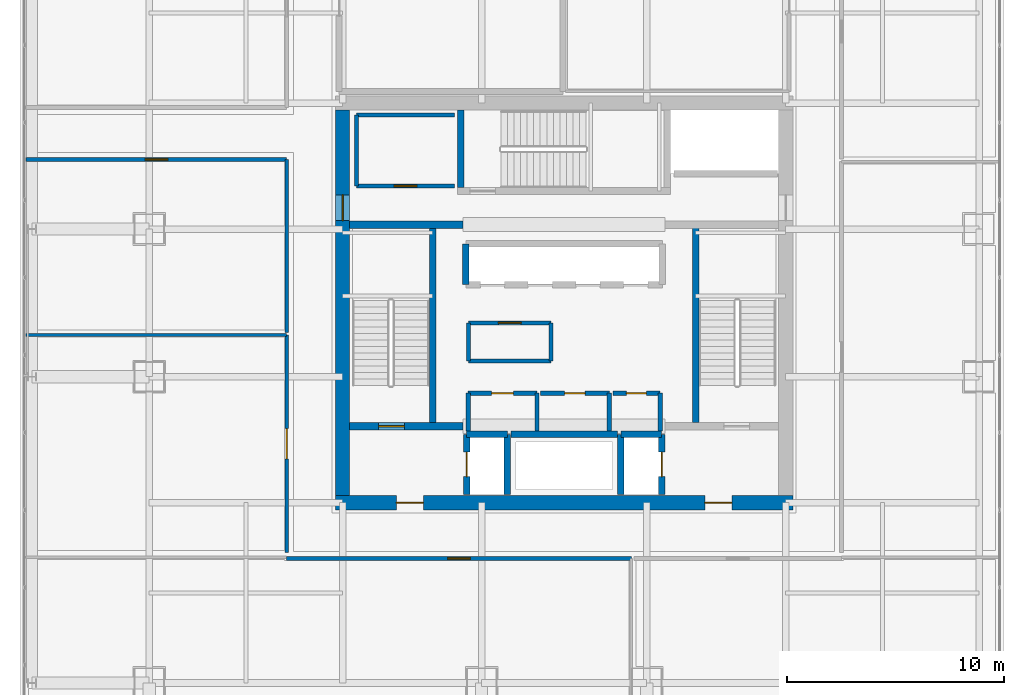
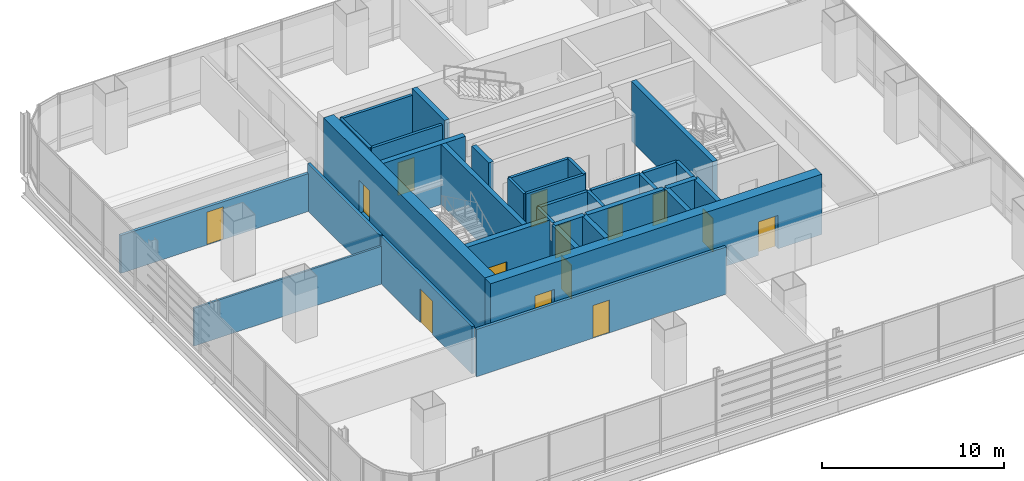
# One storey, part 29 of 36: 34 walls, 14 doors, 14 openings.
"""IFC4 building model written with IfcOpenShell, lengths in metres."""

from ifc_helpers import new_model, si_unit, direction, frame, frame_2d, origin, place, context, subcontext, project, spatial, rectangle, extrude, material, layer, layer_set, type_object, element, fill, save


model = new_model("IFC4")

# Units and contexts
model_context = context("Model", 3, precision=1e-05, world=origin(), true_north=direction((0.0, 1.0)))
body_context = subcontext(model_context, "Body", "Model", "MODEL_VIEW")
ifc_project = project(units=[si_unit("LENGTHUNIT", "METRE"), si_unit("AREAUNIT", "SQUARE_METRE"), si_unit("VOLUMEUNIT", "CUBIC_METRE"), si_unit("PLANEANGLEUNIT", "RADIAN"), si_unit("MASSUNIT", "GRAM", prefix="KILO")], contexts=[model_context])

# Site, building, storey
site_placement = place(None, origin())
site = spatial("IfcSite", under=ifc_project, at=site_placement, CompositionType="ELEMENT")
building_placement = place(site_placement, origin())
building = spatial("IfcBuilding", under=site, at=building_placement, Name="Punatoya Terracotta Tower", CompositionType="ELEMENT")
storey_placement = place(building_placement, frame((0.0, 0.0, 184.35009765625)))
storey = spatial("IfcBuildingStorey", under=building, at=storey_placement, Name="L43", CompositionType="ELEMENT", Elevation=184.35009765625)

# Wall, openings, doors
ifc_material_1 = material(Name="Concrete C60/75", Category="concrete")
ifc_layer_1 = layer(ifc_material_1, 0.64990234375)
ifc_layer_set_1 = layer_set([ifc_layer_1], Name="Concrete C60/75")
wall_type_1 = type_object("IfcWallType", Name="WL-COR-650", PredefinedType="SHEAR", material=ifc_layer_set_1)
wall_1_placement = place(storey_placement, frame((10.52490234375, -9.199951171875, 0.0), z_axis=(0.0, 0.0, 1.0), x_axis=(-1.0, 0.0, 0.0)))
wall_1 = element("IfcWall", 1, at=wall_1_placement, inside=storey, type_object=wall_type_1, Name="L43 Core Shear Wall S", PredefinedType="SHEAR", context=body_context, shape_type="SweptSolid", body=[
    extrude(rectangle(XDim=21.0498046875, YDim=0.64990234375, at=frame_2d((10.52490234375, 0.0))), origin(), (0.0, 0.0, 1.0), 4.0498046875),
])
opening_1_placement = place(wall_1_placement, frame((2.800048828125, 0.0, 0.0)))
opening_1 = element("IfcOpeningElement", 2, at=opening_1_placement, cuts=wall_1, Name="Opening FD-L1", PredefinedType="OPENING", context=body_context, shape_type="SweptSolid", body=[
    extrude(rectangle(XDim=1.25, YDim=2.25, at=frame_2d((0.625, 1.125))), frame((0.0, 0.3349609375, 0.0), z_axis=(0.0, -1.0, 0.0), x_axis=(1.0, 0.0, 0.0)), (0.0, 0.0, 1.0), 0.669921875),
])
opening_2_placement = place(wall_1_placement, frame((17.0, 0.0, 0.0)))
opening_2 = element("IfcOpeningElement", 3, at=opening_2_placement, cuts=wall_1, Name="Opening FD-L1", PredefinedType="OPENING", context=body_context, shape_type="SweptSolid", body=[
    extrude(rectangle(XDim=1.25, YDim=2.25, at=frame_2d((0.625, 1.125))), frame((0.0, 0.3349609375, 0.0), z_axis=(0.0, -1.0, 0.0), x_axis=(1.0, 0.0, 0.0)), (0.0, 0.0, 1.0), 0.669921875),
])
ifc_material_2 = material(Name="Galvanised Steel Smokeproof Fire Door", Category="steel")
door_type_1 = type_object("IfcDoorType", Name="DR-FFL-1250", OperationType="NOTDEFINED", PredefinedType="DOOR", material=ifc_material_2)
door_1_placement = place(opening_1_placement, origin())
door_1 = element("IfcDoor", 4, at=door_1_placement, inside=storey, type_object=door_type_1, Name="L43 East Firefighting Lobby Corridor Fire Door", OperationType="SINGLE_SWING_LEFT", OverallHeight=2.25, OverallWidth=1.25, PredefinedType="DOOR", context=body_context, shape_type="SweptSolid", body=[
    extrude(rectangle(XDim=1.25, YDim=2.25, at=frame_2d((0.625, 1.125))), frame((0.0, 0.02490234375, 0.0), z_axis=(0.0, -1.0, 0.0), x_axis=(1.0, 0.0, 0.0)), (0.0, 0.0, 1.0), 0.050048828125),
])
fill(opening_1, door_1)
door_2_placement = place(opening_2_placement, origin())
door_2 = element("IfcDoor", 5, at=door_2_placement, inside=storey, type_object=door_type_1, Name="L43 West Firefighting Lobby Corridor Fire Door", OperationType="SINGLE_SWING_RIGHT", OverallHeight=2.25, OverallWidth=1.25, PredefinedType="DOOR", context=body_context, shape_type="SweptSolid", body=[
    extrude(rectangle(XDim=1.25, YDim=2.25, at=frame_2d((0.625, 1.125))), frame((0.0, 0.02490234375, 0.0), z_axis=(0.0, -1.0, 0.0), x_axis=(1.0, 0.0, 0.0)), (0.0, 0.0, 1.0), 0.050048828125),
])
fill(opening_2, door_2)

# Wall, opening, door
wall_2_placement = place(storey_placement, frame((-10.199951171875, -8.875, 0.0), z_axis=(0.0, 0.0, 1.0), x_axis=(0.0, 1.0, 0.0)))
wall_2 = element("IfcWall", 6, at=wall_2_placement, inside=storey, type_object=wall_type_1, Name="L43 Core Shear Wall W", PredefinedType="SHEAR", context=body_context, shape_type="SweptSolid", body=[
    extrude(rectangle(XDim=17.75, YDim=0.64990234375, at=frame_2d((8.875, 0.0))), origin(), (0.0, 0.0, 1.0), 4.0498046875),
])
opening_3_placement = place(wall_2_placement, frame((12.6650390625, 0.0, 0.0)))
opening_3 = element("IfcOpeningElement", 7, at=opening_3_placement, cuts=wall_2, Name="Opening SD-01", PredefinedType="OPENING", context=body_context, shape_type="SweptSolid", body=[
    extrude(rectangle(XDim=1.179931640625, YDim=2.199951171875, at=frame_2d((0.58984375, 1.10009765625))), frame((0.0, 0.3349609375, 0.0), z_axis=(0.0, -1.0, 0.0), x_axis=(1.0, 0.0, 0.0)), (0.0, 0.0, 1.0), 0.669921875),
])
ifc_material_3 = material(Name="Galvanised Steel Pressurized Stair Fire Door", Category="steel")
door_type_2 = type_object("IfcDoorType", Name="DR-STR-1180", OperationType="NOTDEFINED", PredefinedType="DOOR", material=ifc_material_3)
door_3_placement = place(opening_3_placement, origin())
door_3 = element("IfcDoor", 8, at=door_3_placement, inside=storey, type_object=door_type_2, Name="L43 Central Lift Lobby West Fire Door", OperationType="SINGLE_SWING_LEFT", OverallHeight=2.199951171875, OverallWidth=1.179931640625, PredefinedType="DOOR", context=body_context, shape_type="SweptSolid", body=[
    extrude(rectangle(XDim=1.179931640625, YDim=2.199951171875, at=frame_2d((0.58984375, 1.10009765625))), frame((0.0, 0.02490234375, 0.0), z_axis=(0.0, -1.0, 0.0), x_axis=(1.0, 0.0, 0.0)), (0.0, 0.0, 1.0), 0.050048828125),
])
fill(opening_3, door_3)

# Wall
ifc_material_4 = material(Name="Gypsum Fireboard + Steel Stud", Category="steel")
ifc_layer_2 = layer(ifc_material_4, 0.179931640625)
ifc_layer_set_2 = layer_set([ifc_layer_2], Name="Gypsum Fireboard + Steel Stud")
wall_type_2 = type_object("IfcWallType", Name="WL-CORR-180", PredefinedType="PARTITIONING", material=ifc_layer_set_2)
wall_3_placement = place(storey_placement, frame((-0.60009765625, -2.679931640625, 0.0), z_axis=(0.0, 0.0, 1.0), x_axis=(0.0, 1.0, 0.0)))
element("IfcWall", 9, at=wall_3_placement, inside=storey, type_object=wall_type_2, Name="L43 West Core Archive Office Partition 08", PredefinedType="PARTITIONING", context=body_context, shape_type="SweptSolid", body=[
    extrude(rectangle(XDim=1.760009765625, YDim=0.179931640625, at=frame_2d((0.8798828125, 0.0))), origin(), (0.0, 0.0, 1.0), 3.829833984375),
])

# Wall, opening, door
wall_4_placement = place(storey_placement, frame((-0.60009765625, -0.919921875, 0.0), z_axis=(0.0, 0.0, 1.0), x_axis=(-1.0, 0.0, 0.0)))
wall_4 = element("IfcWall", 10, at=wall_4_placement, inside=storey, type_object=wall_type_2, Name="L43 West Core Archive Office Partition 09", PredefinedType="PARTITIONING", context=body_context, shape_type="SweptSolid", body=[
    extrude(rectangle(XDim=3.7998046875, YDim=0.179931640625, at=frame_2d((1.89990234375, 0.0))), origin(), (0.0, 0.0, 1.0), 3.829833984375),
])
opening_4_placement = place(wall_4_placement, frame((1.375, 0.0, 0.0)))
opening_4 = element("IfcOpeningElement", 11, at=opening_4_placement, cuts=wall_4, Name="Opening OD-01", PredefinedType="OPENING", context=body_context, shape_type="SweptSolid", body=[
    extrude(rectangle(XDim=1.050048828125, YDim=2.199951171875, at=frame_2d((0.52490234375, 1.10009765625))), frame((0.0, 0.099853515625, 0.0), z_axis=(0.0, -1.0, 0.0), x_axis=(1.0, 0.0, 0.0)), (0.0, 0.0, 1.0), 0.199951171875),
])
ifc_material_5 = material(Name="Bengal Teak Solid-Core Leaf")
door_type_3 = type_object("IfcDoorType", Name="DR-OFF-1050", OperationType="NOTDEFINED", PredefinedType="DOOR", material=ifc_material_5)
door_4_placement = place(opening_4_placement, origin())
door_4 = element("IfcDoor", 12, at=door_4_placement, inside=storey, type_object=door_type_3, Name="L43 West Archive Office Door", OperationType="SINGLE_SWING_LEFT", OverallHeight=2.199951171875, OverallWidth=1.050048828125, PredefinedType="DOOR", context=body_context, shape_type="SweptSolid", body=[
    extrude(rectangle(XDim=1.050048828125, YDim=2.199951171875, at=frame_2d((0.52490234375, 1.10009765625))), frame((0.0, 0.02490234375, 0.0), z_axis=(0.0, -1.0, 0.0), x_axis=(1.0, 0.0, 0.0)), (0.0, 0.0, 1.0), 0.050048828125),
])
fill(opening_4, door_4)

# Walls
wall_5_placement = place(storey_placement, frame((-4.39990234375, -0.919921875, 0.0), z_axis=(0.0, 0.0, 1.0), x_axis=(0.0, -1.0, 0.0)))
element("IfcWall", 13, at=wall_5_placement, inside=storey, type_object=wall_type_2, Name="L43 West Core Archive Office Partition 10", PredefinedType="PARTITIONING", context=body_context, shape_type="SweptSolid", body=[
    extrude(rectangle(XDim=1.760009765625, YDim=0.179931640625, at=frame_2d((0.8798828125, 0.0))), origin(), (0.0, 0.0, 1.0), 3.829833984375),
])
wall_6_placement = place(storey_placement, frame((-4.39990234375, -2.679931640625, 0.0), z_axis=(0.0, 0.0, 1.0), x_axis=(1.0, 0.0, 0.0)))
element("IfcWall", 14, at=wall_6_placement, inside=storey, type_object=wall_type_2, Name="L43 West Core Archive Office Partition 11", PredefinedType="PARTITIONING", context=body_context, shape_type="SweptSolid", body=[
    extrude(rectangle(XDim=3.7998046875, YDim=0.179931640625, at=frame_2d((1.89990234375, 0.0))), origin(), (0.0, 0.0, 1.0), 3.829833984375),
])
wall_7_placement = place(storey_placement, frame((-5.050048828125, 8.64990234375, 0.0), z_axis=(0.0, 0.0, 1.0), x_axis=(-1.0, 0.0, 0.0)))
element("IfcWall", 15, at=wall_7_placement, inside=storey, type_object=wall_type_2, Name="L43 West Core Records Office Partition 12", PredefinedType="PARTITIONING", context=body_context, shape_type="SweptSolid", body=[
    extrude(rectangle(XDim=4.5, YDim=0.179931640625, at=frame_2d((2.25, 0.0))), origin(), (0.0, 0.0, 1.0), 3.829833984375),
])
wall_8_placement = place(storey_placement, frame((-9.550048828125, 8.64990234375, 0.0), z_axis=(0.0, 0.0, 1.0), x_axis=(0.0, -1.0, 0.0)))
element("IfcWall", 16, at=wall_8_placement, inside=storey, type_object=wall_type_2, Name="L43 West Core Records Office Partition 13", PredefinedType="PARTITIONING", context=body_context, shape_type="SweptSolid", body=[
    extrude(rectangle(XDim=3.27001953125, YDim=0.179931640625, at=frame_2d((1.635009765625, 0.0))), origin(), (0.0, 0.0, 1.0), 3.829833984375),
])

# Wall, opening, door
wall_9_placement = place(storey_placement, frame((-9.550048828125, 5.3798828125, 0.0), z_axis=(0.0, 0.0, 1.0), x_axis=(1.0, 0.0, 0.0)))
wall_9 = element("IfcWall", 17, at=wall_9_placement, inside=storey, type_object=wall_type_2, Name="L43 West Core Records Office Partition 14", PredefinedType="PARTITIONING", context=body_context, shape_type="SweptSolid", body=[
    extrude(rectangle(XDim=4.5, YDim=0.179931640625, at=frame_2d((2.25, 0.0))), origin(), (0.0, 0.0, 1.0), 3.829833984375),
])
opening_5_placement = place(wall_9_placement, frame((1.72509765625, 0.0, 0.0)))
opening_5 = element("IfcOpeningElement", 18, at=opening_5_placement, cuts=wall_9, Name="Opening OD-01", PredefinedType="OPENING", context=body_context, shape_type="SweptSolid", body=[
    extrude(rectangle(XDim=1.050048828125, YDim=2.199951171875, at=frame_2d((0.52490234375, 1.10009765625))), frame((0.0, 0.099853515625, 0.0), z_axis=(0.0, -1.0, 0.0), x_axis=(1.0, 0.0, 0.0)), (0.0, 0.0, 1.0), 0.199951171875),
])
door_5_placement = place(opening_5_placement, origin())
door_5 = element("IfcDoor", 19, at=door_5_placement, inside=storey, type_object=door_type_3, Name="L43 West Records Office Door", OperationType="SINGLE_SWING_RIGHT", OverallHeight=2.199951171875, OverallWidth=1.050048828125, PredefinedType="DOOR", context=body_context, shape_type="SweptSolid", body=[
    extrude(rectangle(XDim=1.050048828125, YDim=2.199951171875, at=frame_2d((0.52490234375, 1.10009765625))), frame((0.0, 0.02490234375, 0.0), z_axis=(0.0, -1.0, 0.0), x_axis=(1.0, 0.0, 0.0)), (0.0, 0.0, 1.0), 0.050048828125),
])
fill(opening_5, door_5)

wall_10_placement = place(storey_placement, frame((-12.77001953125, -11.77001953125, 0.0), z_axis=(0.0, 0.0, 1.0), x_axis=(1.0, 0.0, 0.0)))
wall_10 = element("IfcWall", 20, at=wall_10_placement, inside=storey, type_object=wall_type_2, Name="L43 Staff Wellness Studio Partition 16", PredefinedType="PARTITIONING", context=body_context, shape_type="SweptSolid", body=[
    extrude(rectangle(XDim=15.865966796875, YDim=0.179931640625, at=frame_2d((7.93310546875, 0.0))), origin(), (0.0, 0.0, 1.0), 3.173828125),
])
opening_6_placement = place(wall_10_placement, frame((7.407958984375, 0.0, 0.0)))
opening_6 = element("IfcOpeningElement", 21, at=opening_6_placement, cuts=wall_10, Name="Opening OD-01", PredefinedType="OPENING", context=body_context, shape_type="SweptSolid", body=[
    extrude(rectangle(XDim=1.050048828125, YDim=2.199951171875, at=frame_2d((0.52490234375, 1.10009765625))), frame((0.0, 0.099853515625, 0.0), z_axis=(0.0, -1.0, 0.0), x_axis=(1.0, 0.0, 0.0)), (0.0, 0.0, 1.0), 0.199951171875),
])
door_6_placement = place(opening_6_placement, origin())
door_6 = element("IfcDoor", 22, at=door_6_placement, inside=storey, type_object=door_type_3, Name="L43 Staff Wellness Studio Door", OperationType="SINGLE_SWING_LEFT", OverallHeight=2.199951171875, OverallWidth=1.050048828125, PredefinedType="DOOR", context=body_context, shape_type="SweptSolid", body=[
    extrude(rectangle(XDim=1.050048828125, YDim=2.199951171875, at=frame_2d((0.52490234375, 1.10009765625))), frame((0.0, 0.02490234375, 0.0), z_axis=(0.0, -1.0, 0.0), x_axis=(1.0, 0.0, 0.0)), (0.0, 0.0, 1.0), 0.050048828125),
])
fill(opening_6, door_6)

wall_11_placement = place(storey_placement, frame((-12.77001953125, -1.47900390625, 0.0), z_axis=(0.0, 0.0, 1.0), x_axis=(0.0, -1.0, 0.0)))
wall_11 = element("IfcWall", 23, at=wall_11_placement, inside=storey, type_object=wall_type_2, Name="L43 Open-Plan Cultural History Classroom Partition 21", PredefinedType="PARTITIONING", context=body_context, shape_type="SweptSolid", body=[
    extrude(rectangle(XDim=10.010986328125, YDim=0.179931640625, at=frame_2d((5.00537109375, 0.0))), origin(), (0.0, 0.0, 1.0), 3.173828125),
])
opening_7_placement = place(wall_11_placement, frame((4.305419921875, 0.0, 0.0)))
opening_7 = element("IfcOpeningElement", 24, at=opening_7_placement, cuts=wall_11, Name="Opening BD-01", PredefinedType="OPENING", context=body_context, shape_type="SweptSolid", body=[
    extrude(rectangle(XDim=1.39990234375, YDim=2.25, at=frame_2d((0.699951171875, 1.125))), frame((0.0, 0.099853515625, 0.0), z_axis=(0.0, -1.0, 0.0), x_axis=(1.0, 0.0, 0.0)), (0.0, 0.0, 1.0), 0.199951171875),
])
ifc_material_6 = material(Name="Bengal Teak Acoustic Leaf")
door_type_4 = type_object("IfcDoorType", Name="DR-BRD-1400", OperationType="NOTDEFINED", PredefinedType="DOOR", material=ifc_material_6)
door_7_placement = place(opening_7_placement, origin())
door_7 = element("IfcDoor", 25, at=door_7_placement, inside=storey, type_object=door_type_4, Name="L43 Open-Plan Cultural History Classroom Door", OperationType="SINGLE_SWING_LEFT", OverallHeight=2.25, OverallWidth=1.39990234375, PredefinedType="DOOR", context=body_context, shape_type="SweptSolid", body=[
    extrude(rectangle(XDim=1.39990234375, YDim=2.25, at=frame_2d((0.699951171875, 1.125))), frame((0.0, 0.02490234375, 0.0), z_axis=(0.0, -1.0, 0.0), x_axis=(1.0, 0.0, 0.0)), (0.0, 0.0, 1.0), 0.050048828125),
])
fill(opening_7, door_7)

wall_12_placement = place(storey_placement, frame((-24.77001953125, 6.60009765625, 0.0), z_axis=(0.0, 0.0, 1.0), x_axis=(1.0, 0.0, 0.0)))
wall_12 = element("IfcWall", 26, at=wall_12_placement, inside=storey, type_object=wall_type_2, Name="L43 Open-Plan Nutrition Tea Pantry Partition 24", PredefinedType="PARTITIONING", context=body_context, shape_type="SweptSolid", body=[
    extrude(rectangle(XDim=12.0, YDim=0.179931640625, at=frame_2d((6.0, 0.0))), origin(), (0.0, 0.0, 1.0), 2.5439453125),
])
opening_8_placement = place(wall_12_placement, frame((5.47509765625, 0.0, 0.0)))
opening_8 = element("IfcOpeningElement", 27, at=opening_8_placement, cuts=wall_12, Name="Opening OD-01", PredefinedType="OPENING", context=body_context, shape_type="SweptSolid", body=[
    extrude(rectangle(XDim=1.050048828125, YDim=2.199951171875, at=frame_2d((0.52490234375, 1.10009765625))), frame((0.0, 0.099853515625, 0.0), z_axis=(0.0, -1.0, 0.0), x_axis=(1.0, 0.0, 0.0)), (0.0, 0.0, 1.0), 0.199951171875),
])
door_8_placement = place(opening_8_placement, origin())
door_8 = element("IfcDoor", 28, at=door_8_placement, inside=storey, type_object=door_type_3, Name="L43 Open-Plan Nutrition Tea Pantry Door", OperationType="SINGLE_SWING_LEFT", OverallHeight=2.199951171875, OverallWidth=1.050048828125, PredefinedType="DOOR", context=body_context, shape_type="SweptSolid", body=[
    extrude(rectangle(XDim=1.050048828125, YDim=2.199951171875, at=frame_2d((0.52490234375, 1.10009765625))), frame((0.0, 0.02490234375, 0.0), z_axis=(0.0, -1.0, 0.0), x_axis=(1.0, 0.0, 0.0)), (0.0, 0.0, 1.0), 0.050048828125),
])
fill(opening_8, door_8)

# Walls
wall_13_placement = place(storey_placement, frame((-12.77001953125, 6.60009765625, 0.0), z_axis=(0.0, 0.0, 1.0), x_axis=(0.0, -1.0, 0.0)))
element("IfcWall", 29, at=wall_13_placement, inside=storey, type_object=wall_type_2, Name="L43 Open-Plan Nutrition Tea Pantry Partition 25", PredefinedType="PARTITIONING", context=body_context, shape_type="SweptSolid", body=[
    extrude(rectangle(XDim=7.958984375, YDim=0.179931640625, at=frame_2d((3.9794921875, 0.0))), origin(), (0.0, 0.0, 1.0), 3.173828125),
])
ifc_material_7 = material(Name="Concrete C40/50", Category="concrete")
ifc_layer_3 = layer(ifc_material_7, 0.199951171875)
ifc_layer_set_3 = layer_set([ifc_layer_3], Name="Concrete C40/50")
wall_type_3 = type_object("IfcWallType", Name="WL-INT-200", PredefinedType="SOLIDWALL", material=ifc_layer_set_3)
wall_14_placement = place(storey_placement, frame((-1.25, -5.89990234375, 0.0), z_axis=(0.0, 0.0, 1.0), x_axis=(0.0, 1.0, 0.0)))
element("IfcWall", 30, at=wall_14_placement, inside=storey, type_object=wall_type_3, Name="L43 Accessible Universal Washroom Partition 01", PredefinedType="SOLIDWALL", context=body_context, shape_type="SweptSolid", body=[
    extrude(rectangle(XDim=1.739990234375, YDim=0.199951171875, at=frame_2d((0.8701171875, 0.0))), origin(), (0.0, 0.0, 1.0), 3.829833984375),
])

# Wall, opening, door
wall_15_placement = place(storey_placement, frame((-1.25, -4.159912109375, 0.0), z_axis=(0.0, 0.0, 1.0), x_axis=(-1.0, 0.0, 0.0)))
wall_15 = element("IfcWall", 31, at=wall_15_placement, inside=storey, type_object=wall_type_3, Name="L43 Accessible Universal Washroom Partition 02", PredefinedType="SOLIDWALL", context=body_context, shape_type="SweptSolid", body=[
    extrude(rectangle(XDim=3.169921875, YDim=0.199951171875, at=frame_2d((1.5849609375, 0.0))), origin(), (0.0, 0.0, 1.0), 3.829833984375),
])
opening_9_placement = place(wall_15_placement, frame((1.0849609375, 0.0, 0.0)))
opening_9 = element("IfcOpeningElement", 32, at=opening_9_placement, cuts=wall_15, Name="Opening AWD-1", PredefinedType="OPENING", context=body_context, shape_type="SweptSolid", body=[
    extrude(rectangle(XDim=1.0, YDim=2.14990234375, at=frame_2d((0.5, 1.074951171875))), frame((0.0, 0.10986328125, 0.0), z_axis=(0.0, -1.0, 0.0), x_axis=(1.0, 0.0, 0.0)), (0.0, 0.0, 1.0), 0.219970703125),
])
ifc_material_8 = material(Name="Bengal Teak Accessible WC Leaf")
door_type_5 = type_object("IfcDoorType", Name="DR-ACC-1000", OperationType="NOTDEFINED", PredefinedType="DOOR", material=ifc_material_8)
door_9_placement = place(opening_9_placement, origin())
door_9 = element("IfcDoor", 33, at=door_9_placement, inside=storey, type_object=door_type_5, Name="L43 Accessible Universal Washroom Door", OperationType="SINGLE_SWING_RIGHT", OverallHeight=2.14990234375, OverallWidth=1.0, PredefinedType="DOOR", context=body_context, shape_type="SweptSolid", body=[
    extrude(rectangle(XDim=1.0, YDim=2.14990234375, at=frame_2d((0.5, 1.074951171875))), frame((0.0, 0.02490234375, 0.0), z_axis=(0.0, -1.0, 0.0), x_axis=(1.0, 0.0, 0.0)), (0.0, 0.0, 1.0), 0.050048828125),
])
fill(opening_9, door_9)

# Walls
for number, where, z_axis, x_axis, name in (
    (34, (-4.419921875, -4.159912109375, 0.0), (0.0, 0.0, 1.0), (0.0, -1.0, 0.0), "L43 Accessible Universal Washroom Partition 03"),
    (35, (2.080078125, -5.89990234375, 0.0), (0.0, 0.0, 1.0), (0.0, 1.0, 0.0), "L43 All-Gender Universal Washroom Partition 04"),
):
    element("IfcWall", number, at=place(storey_placement, frame(where, z_axis=z_axis, x_axis=x_axis)), inside=storey, type_object=wall_type_3, Name=name, PredefinedType="SOLIDWALL", context=body_context, shape_type="SweptSolid", body=[
        extrude(rectangle(XDim=1.739990234375, YDim=0.199951171875, at=frame_2d((0.8701171875, 0.0))), origin(), (0.0, 0.0, 1.0), 3.829833984375),
    ])

# Wall, opening, door
wall_16_placement = place(storey_placement, frame((2.080078125, -4.159912109375, 0.0), z_axis=(0.0, 0.0, 1.0), x_axis=(-1.0, 0.0, 0.0)))
wall_16 = element("IfcWall", 36, at=wall_16_placement, inside=storey, type_object=wall_type_3, Name="L43 All-Gender Universal Washroom Partition 05", PredefinedType="SOLIDWALL", context=body_context, shape_type="SweptSolid", body=[
    extrude(rectangle(XDim=3.170166015625, YDim=0.199951171875, at=frame_2d((1.5849609375, 0.0))), origin(), (0.0, 0.0, 1.0), 3.829833984375),
])
opening_10_placement = place(wall_16_placement, frame((1.110107421875, 0.0, 0.0)))
opening_10 = element("IfcOpeningElement", 37, at=opening_10_placement, cuts=wall_16, Name="Opening WD-01", PredefinedType="OPENING", context=body_context, shape_type="SweptSolid", body=[
    extrude(rectangle(XDim=0.949951171875, YDim=2.14990234375, at=frame_2d((0.47509765625, 1.074951171875))), frame((0.0, 0.10986328125, 0.0), z_axis=(0.0, -1.0, 0.0), x_axis=(1.0, 0.0, 0.0)), (0.0, 0.0, 1.0), 0.219970703125),
])
ifc_material_9 = material(Name="Moisture-Resistant Laminate Timber Leaf", Category="wood")
door_type_6 = type_object("IfcDoorType", Name="DR-WC-950", OperationType="NOTDEFINED", PredefinedType="DOOR", material=ifc_material_9)
door_10_placement = place(opening_10_placement, origin())
door_10 = element("IfcDoor", 38, at=door_10_placement, inside=storey, type_object=door_type_6, Name="L43 All-Gender Universal Washroom Door", OperationType="SINGLE_SWING_LEFT", OverallHeight=2.14990234375, OverallWidth=0.949951171875, PredefinedType="DOOR", context=body_context, shape_type="SweptSolid", body=[
    extrude(rectangle(XDim=0.949951171875, YDim=2.14990234375, at=frame_2d((0.47509765625, 1.074951171875))), frame((0.0, 0.02490234375, 0.0), z_axis=(0.0, -1.0, 0.0), x_axis=(1.0, 0.0, 0.0)), (0.0, 0.0, 1.0), 0.050048828125),
])
fill(opening_10, door_10)

# Wall
wall_17_placement = place(storey_placement, frame((4.419921875, -5.89990234375, 0.0), z_axis=(0.0, 0.0, 1.0), x_axis=(0.0, 1.0, 0.0)))
element("IfcWall", 39, at=wall_17_placement, inside=storey, type_object=wall_type_3, Name="L43 Core Electrical Switchgear Room Partition 06", PredefinedType="SOLIDWALL", context=body_context, shape_type="SweptSolid", body=[
    extrude(rectangle(XDim=1.739990234375, YDim=0.199951171875, at=frame_2d((0.8701171875, 0.0))), origin(), (0.0, 0.0, 1.0), 3.829833984375),
])

# Wall, opening, door
wall_18_placement = place(storey_placement, frame((4.419921875, -4.159912109375, 0.0), z_axis=(0.0, 0.0, 1.0), x_axis=(-1.0, 0.0, 0.0)))
wall_18 = element("IfcWall", 40, at=wall_18_placement, inside=storey, type_object=wall_type_3, Name="L43 Core Electrical Switchgear Room Partition 07", PredefinedType="SOLIDWALL", context=body_context, shape_type="SweptSolid", body=[
    extrude(rectangle(XDim=2.179931640625, YDim=0.199951171875, at=frame_2d((1.08984375, 0.0))), origin(), (0.0, 0.0, 1.0), 3.829833984375),
])
opening_11_placement = place(wall_18_placement, frame((0.6298828125, 0.0, 0.0)))
opening_11 = element("IfcOpeningElement", 41, at=opening_11_placement, cuts=wall_18, Name="Opening FD-R1", PredefinedType="OPENING", context=body_context, shape_type="SweptSolid", body=[
    extrude(rectangle(XDim=0.919921875, YDim=2.10009765625, at=frame_2d((0.4599609375, 1.050048828125))), frame((0.0, 0.10986328125, 0.0), z_axis=(0.0, -1.0, 0.0), x_axis=(1.0, 0.0, 0.0)), (0.0, 0.0, 1.0), 0.219970703125),
])
ifc_material_10 = material(Name="Galvanised Steel Riser Fire Access Door", Category="steel")
door_type_7 = type_object("IfcDoorType", Name="DR-RSR-920", OperationType="NOTDEFINED", PredefinedType="DOOR", material=ifc_material_10)
door_11_placement = place(opening_11_placement, origin())
door_11 = element("IfcDoor", 42, at=door_11_placement, inside=storey, type_object=door_type_7, Name="L43 Core Electrical Switchgear Room Fire Door", OperationType="SINGLE_SWING_RIGHT", OverallHeight=2.10009765625, OverallWidth=0.919921875, PredefinedType="DOOR", context=body_context, shape_type="SweptSolid", body=[
    extrude(rectangle(XDim=0.919921875, YDim=2.10009765625, at=frame_2d((0.4599609375, 1.050048828125))), frame((0.0, 0.02490234375, 0.0), z_axis=(0.0, -1.0, 0.0), x_axis=(1.0, 0.0, 0.0)), (0.0, 0.0, 1.0), 0.050048828125),
])
fill(opening_11, door_11)

# Walls
ifc_material_11 = material(Name="Gypsum Partition + Steel Stud", Category="steel")
ifc_layer_4 = layer(ifc_material_11, 0.1201171875)
ifc_layer_set_4 = layer_set([ifc_layer_4], Name="Gypsum Partition + Steel Stud")
wall_type_4 = type_object("IfcWallType", Name="WL-OFF-120", PredefinedType="PARTITIONING", material=ifc_layer_set_4)
wall_19_placement = place(storey_placement, frame((-24.77001953125, -1.47900390625, 0.0), z_axis=(0.0, 0.0, 1.0), x_axis=(1.0, 0.0, 0.0)))
element("IfcWall", 43, at=wall_19_placement, inside=storey, type_object=wall_type_4, Name="L43 Open-Plan Cultural History Classroom Partition 20", PredefinedType="PARTITIONING", context=body_context, shape_type="SweptSolid", body=[
    extrude(rectangle(XDim=12.0, YDim=0.1201171875, at=frame_2d((6.0, 0.0))), origin(), (0.0, 0.0, 1.0), 2.5439453125),
])
ifc_layer_5 = layer(ifc_material_7, 0.300048828125)
ifc_layer_set_5 = layer_set([ifc_layer_5], Name="Concrete C40/50")
wall_type_5 = type_object("IfcWallType", Name="WL-SHF-300", PredefinedType="SOLIDWALL", material=ifc_layer_set_5)
for number, where, z_axis, x_axis, name in (
    (44, (-6.050048828125, -5.5, 0.0), (0.0, 0.0, 1.0), (0.0, 1.0, 0.0), "L43 Structural Stair Shaft Wall SW-ST1-E"),
    (45, (6.050048828125, 3.449951171875, 0.0), (0.0, 0.0, 1.0), (0.0, -1.0, 0.0), "L43 Structural Stair Shaft Wall SW-ST2-W"),
):
    element("IfcWall", number, at=place(storey_placement, frame(where, z_axis=z_axis, x_axis=x_axis)), inside=storey, type_object=wall_type_5, Name=name, PredefinedType="SOLIDWALL", context=body_context, shape_type="SweptSolid", body=[
        extrude(rectangle(XDim=8.949951171875, YDim=0.300048828125, at=frame_2d((4.47509765625, 0.0))), origin(), (0.0, 0.0, 1.0), 4.0498046875),
    ])
wall_20_placement = place(storey_placement, frame((-4.75, 5.300048828125, 0.0), z_axis=(0.0, 0.0, 1.0), x_axis=(0.0, 1.0, 0.0)))
element("IfcWall", 46, at=wall_20_placement, inside=storey, type_object=wall_type_5, Name="L43 Structural Stair Shaft Wall SW-ST3-W", PredefinedType="SOLIDWALL", context=body_context, shape_type="SweptSolid", body=[
    extrude(rectangle(XDim=3.574951171875, YDim=0.300048828125, at=frame_2d((1.78759765625, 0.0))), origin(), (0.0, 0.0, 1.0), 4.0498046875),
])

# Wall, opening, door
wall_21_placement = place(storey_placement, frame((-4.489990234375, -8.820068359375, 0.0), z_axis=(0.0, 0.0, 1.0), x_axis=(0.0, 1.0, 0.0)))
wall_21 = element("IfcWall", 47, at=wall_21_placement, inside=storey, type_object=wall_type_5, Name="L43 FFL-1 Front Hoistway Wall", PredefinedType="SOLIDWALL", context=body_context, shape_type="SweptSolid", body=[
    extrude(rectangle(XDim=2.77001953125, YDim=0.300048828125, at=frame_2d((1.385009765625, 0.0))), origin(), (0.0, 0.0, 1.0), 3.829833984375),
])
opening_12_placement = place(wall_21_placement, frame((0.824951171875, 0.0, 0.0)))
opening_12 = element("IfcOpeningElement", 48, at=opening_12_placement, cuts=wall_21, Name="Opening LD-02", PredefinedType="OPENING", context=body_context, shape_type="SweptSolid", body=[
    extrude(rectangle(XDim=1.1201171875, YDim=2.25, at=frame_2d((0.56005859375, 1.125))), frame((0.0, 0.159912109375, 0.0), z_axis=(0.0, -1.0, 0.0), x_axis=(1.0, 0.0, 0.0)), (0.0, 0.0, 1.0), 0.320068359375),
])
ifc_material_12 = material(Name="Stainless Steel Lift Landing Door", Category="steel")
door_type_8 = type_object("IfcDoorType", Name="DR-LND-1120", OperationType="NOTDEFINED", PredefinedType="DOOR", material=ifc_material_12)
door_12_placement = place(opening_12_placement, origin())
door_12 = element("IfcDoor", 49, at=door_12_placement, inside=storey, type_object=door_type_8, Name="L43 Firefighting Lift FFL-1 Sliding Landing Door", OperationType="SLIDING_TO_LEFT", OverallHeight=2.25, OverallWidth=1.1201171875, PredefinedType="DOOR", context=body_context, shape_type="SweptSolid", body=[
    extrude(rectangle(XDim=1.1201171875, YDim=2.25, at=frame_2d((0.56005859375, 1.125))), frame((0.0, 0.02490234375, 0.0), z_axis=(0.0, -1.0, 0.0), x_axis=(1.0, 0.0, 0.0)), (0.0, 0.0, 1.0), 0.050048828125),
])
fill(opening_12, door_12)

# Walls
wall_22_placement = place(storey_placement, frame((-2.610107421875, -8.820068359375, 0.0), z_axis=(0.0, 0.0, 1.0), x_axis=(0.0, 1.0, 0.0)))
element("IfcWall", 50, at=wall_22_placement, inside=storey, type_object=wall_type_5, Name="L43 FFL-1 Rear Hoistway Wall", PredefinedType="SOLIDWALL", context=body_context, shape_type="SweptSolid", body=[
    extrude(rectangle(XDim=2.77001953125, YDim=0.300048828125, at=frame_2d((1.385009765625, 0.0))), origin(), (0.0, 0.0, 1.0), 3.829833984375),
])
wall_23_placement = place(storey_placement, frame((-4.489990234375, -6.050048828125, 0.0), z_axis=(0.0, 0.0, 1.0), x_axis=(1.0, 0.0, 0.0)))
element("IfcWall", 51, at=wall_23_placement, inside=storey, type_object=wall_type_5, Name="L43 FFL-1 North Hoistway Wall", PredefinedType="SOLIDWALL", context=body_context, shape_type="SweptSolid", body=[
    extrude(rectangle(XDim=1.8798828125, YDim=0.300048828125, at=frame_2d((0.93994140625, 0.0))), origin(), (0.0, 0.0, 1.0), 3.829833984375),
])

# Wall, opening, door
wall_24_placement = place(storey_placement, frame((4.489990234375, -8.820068359375, 0.0), z_axis=(0.0, 0.0, 1.0), x_axis=(0.0, 1.0, 0.0)))
wall_24 = element("IfcWall", 52, at=wall_24_placement, inside=storey, type_object=wall_type_5, Name="L43 FFL-2 Front Hoistway Wall", PredefinedType="SOLIDWALL", context=body_context, shape_type="SweptSolid", body=[
    extrude(rectangle(XDim=2.77001953125, YDim=0.300048828125, at=frame_2d((1.385009765625, 0.0))), origin(), (0.0, 0.0, 1.0), 3.829833984375),
])
opening_13_placement = place(wall_24_placement, frame((0.824951171875, 0.0, 0.0)))
opening_13 = element("IfcOpeningElement", 53, at=opening_13_placement, cuts=wall_24, Name="Opening LD-02", PredefinedType="OPENING", context=body_context, shape_type="SweptSolid", body=[
    extrude(rectangle(XDim=1.1201171875, YDim=2.25, at=frame_2d((0.56005859375, 1.125))), frame((0.0, 0.159912109375, 0.0), z_axis=(0.0, -1.0, 0.0), x_axis=(1.0, 0.0, 0.0)), (0.0, 0.0, 1.0), 0.320068359375),
])
door_13_placement = place(opening_13_placement, origin())
door_13 = element("IfcDoor", 54, at=door_13_placement, inside=storey, type_object=door_type_8, Name="L43 Firefighting Lift FFL-2 Sliding Landing Door", OperationType="SLIDING_TO_RIGHT", OverallHeight=2.25, OverallWidth=1.1201171875, PredefinedType="DOOR", context=body_context, shape_type="SweptSolid", body=[
    extrude(rectangle(XDim=1.1201171875, YDim=2.25, at=frame_2d((0.56005859375, 1.125))), frame((0.0, 0.02490234375, 0.0), z_axis=(0.0, -1.0, 0.0), x_axis=(1.0, 0.0, 0.0)), (0.0, 0.0, 1.0), 0.050048828125),
])
fill(opening_13, door_13)

# Walls
wall_25_placement = place(storey_placement, frame((2.610107421875, -8.820068359375, 0.0), z_axis=(0.0, 0.0, 1.0), x_axis=(0.0, 1.0, 0.0)))
element("IfcWall", 55, at=wall_25_placement, inside=storey, type_object=wall_type_5, Name="L43 FFL-2 Rear Hoistway Wall", PredefinedType="SOLIDWALL", context=body_context, shape_type="SweptSolid", body=[
    extrude(rectangle(XDim=2.77001953125, YDim=0.300048828125, at=frame_2d((1.385009765625, 0.0))), origin(), (0.0, 0.0, 1.0), 3.829833984375),
])
for number, where, z_axis, x_axis, name in (
    (56, (2.610107421875, -6.050048828125, 0.0), (0.0, 0.0, 1.0), (1.0, 0.0, 0.0), "L43 FFL-2 North Hoistway Wall"),
    (57, (-4.52001953125, 0.840087890625, 0.0), (0.0, 0.0, 1.0), (0.0, 1.0, 0.0), "L43 North Lift Bank West End Wall"),
):
    element("IfcWall", number, at=place(storey_placement, frame(where, z_axis=z_axis, x_axis=x_axis)), inside=storey, type_object=wall_type_5, Name=name, PredefinedType="SOLIDWALL", context=body_context, shape_type="SweptSolid", body=[
        extrude(rectangle(XDim=1.8798828125, YDim=0.300048828125, at=frame_2d((0.93994140625, 0.0))), origin(), (0.0, 0.0, 1.0), 3.829833984375),
    ])
wall_26_placement = place(storey_placement, frame((-2.449951171875, -6.050048828125, 0.0), z_axis=(0.0, 0.0, 1.0), x_axis=(1.0, 0.0, 0.0)))
element("IfcWall", 58, at=wall_26_placement, inside=storey, type_object=wall_type_5, Name="L43 Observation Shuttle Rear Hoistway Wall", PredefinedType="SOLIDWALL", context=body_context, shape_type="SweptSolid", body=[
    extrude(rectangle(XDim=4.89990234375, YDim=0.300048828125, at=frame_2d((2.449951171875, 0.0))), origin(), (0.0, 0.0, 1.0), 3.829833984375),
])

# Wall, opening, door
ifc_material_13 = material(Name="Concrete C50/60", Category="concrete")
ifc_layer_6 = layer(ifc_material_13, 0.35009765625)
ifc_layer_set_6 = layer_set([ifc_layer_6], Name="Concrete C50/60")
wall_type_6 = type_object("IfcWallType", Name="WL-SHF-350", PredefinedType="SOLIDWALL", material=ifc_layer_set_6)
wall_27_placement = place(storey_placement, frame((-9.875, -5.679931640625, 0.0), z_axis=(0.0, 0.0, 1.0), x_axis=(1.0, 0.0, 0.0)))
wall_27 = element("IfcWall", 59, at=wall_27_placement, inside=storey, type_object=wall_type_6, Name="L43 Core Web Wall CSW-L", PredefinedType="SOLIDWALL", context=body_context, shape_type="SweptSolid", body=[
    extrude(rectangle(XDim=5.22509765625, YDim=0.35009765625, at=frame_2d((2.612548828125, 0.0))), origin(), (0.0, 0.0, 1.0), 4.0498046875),
])
opening_14_placement = place(wall_27_placement, frame((1.3349609375, 0.0, 0.0)))
opening_14 = element("IfcOpeningElement", 60, at=opening_14_placement, cuts=wall_27, Name="Opening SD-01", PredefinedType="OPENING", context=body_context, shape_type="SweptSolid", body=[
    extrude(rectangle(XDim=1.179931640625, YDim=2.199951171875, at=frame_2d((0.58984375, 1.10009765625))), frame((0.0, 0.18505859375, 0.0), z_axis=(0.0, -1.0, 0.0), x_axis=(1.0, 0.0, 0.0)), (0.0, 0.0, 1.0), 0.3701171875),
])
door_14_placement = place(opening_14_placement, origin())
door_14 = element("IfcDoor", 61, at=door_14_placement, inside=storey, type_object=door_type_2, Name="L43 Stair ST-1 Smokeproof Lobby Fire Door", OperationType="SINGLE_SWING_LEFT", OverallHeight=2.199951171875, OverallWidth=1.179931640625, PredefinedType="DOOR", context=body_context, shape_type="SweptSolid", body=[
    extrude(rectangle(XDim=1.179931640625, YDim=2.199951171875, at=frame_2d((0.58984375, 1.10009765625))), frame((0.0, 0.02490234375, 0.0), z_axis=(0.0, -1.0, 0.0), x_axis=(1.0, 0.0, 0.0)), (0.0, 0.0, 1.0), 0.050048828125),
])
fill(opening_14, door_14)

# Wall
wall_28_placement = place(storey_placement, frame((-9.875, 3.60009765625, 0.0), z_axis=(0.0, 0.0, 1.0), x_axis=(1.0, 0.0, 0.0)))
element("IfcWall", 62, at=wall_28_placement, inside=storey, type_object=wall_type_6, Name="L43 Core Web Wall CNW-L", PredefinedType="SOLIDWALL", context=body_context, shape_type="SweptSolid", body=[
    extrude(rectangle(XDim=5.22509765625, YDim=0.35009765625, at=frame_2d((2.612548828125, 0.0))), origin(), (0.0, 0.0, 1.0), 4.0498046875),
])

save(model, "model.ifc")
